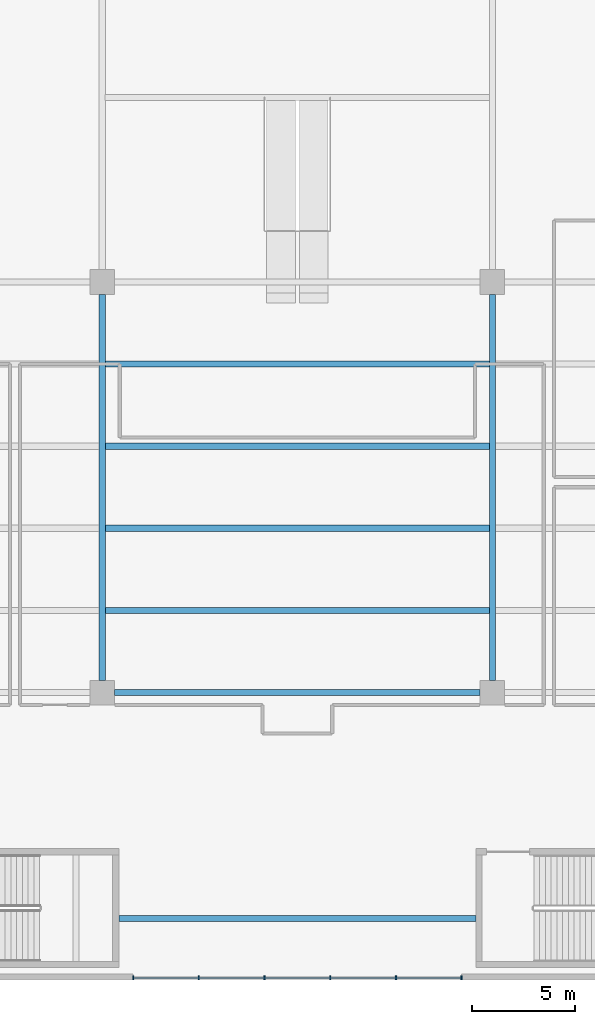
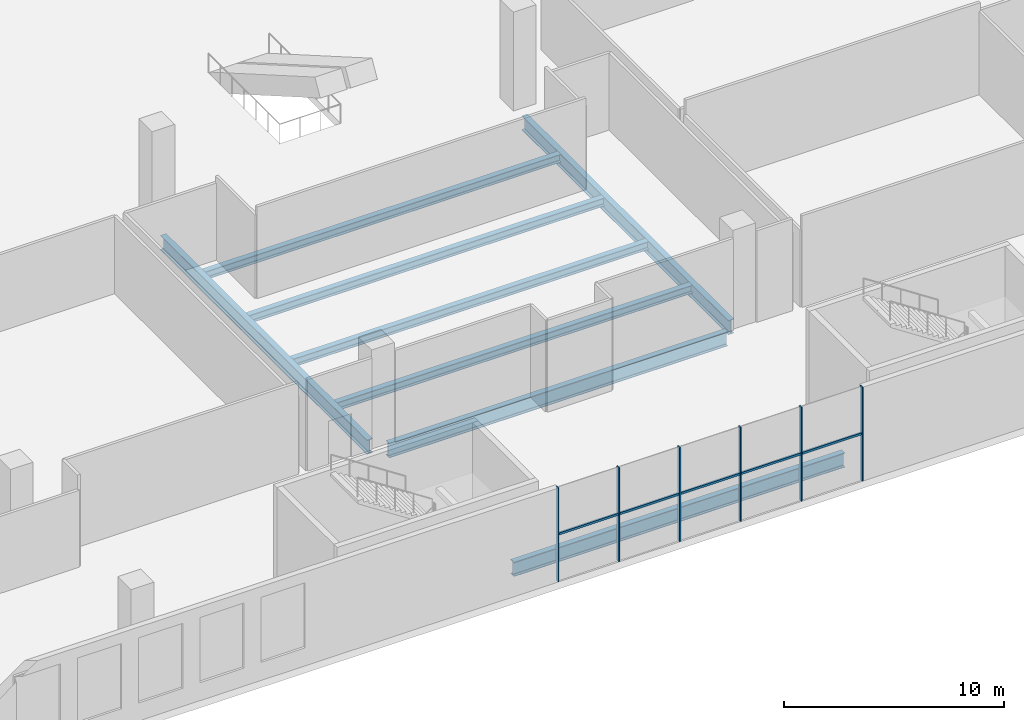
# One storey, part 2 of 26: 8 beams, 7 members, 1 element without a shape of its own.
"""IFC4 building model written with IfcOpenShell, lengths in metres."""

from ifc_helpers import new_model, si_unit, direction, frame, origin, origin_2d, place, context, subcontext, project, spatial, rectangle, i_section, extrude, material, material_profile, profile_set, type_object, element, aggregate, save


model = new_model("IFC4")

# Units and contexts
model_context = context("Model", 3, precision=1e-05, world=origin(), true_north=direction((0.0, 1.0)))
body_context = subcontext(model_context, "Body", "Model", "MODEL_VIEW")
ifc_project = project(units=[si_unit("LENGTHUNIT", "METRE"), si_unit("AREAUNIT", "SQUARE_METRE"), si_unit("VOLUMEUNIT", "CUBIC_METRE"), si_unit("PLANEANGLEUNIT", "RADIAN"), si_unit("MASSUNIT", "GRAM", prefix="KILO")], contexts=[model_context])

# Site, building, storey
site_placement = place(None, origin())
site = spatial("IfcSite", under=ifc_project, at=site_placement, CompositionType="ELEMENT")
building_placement = place(site_placement, origin())
building = spatial("IfcBuilding", under=site, at=building_placement, Name="Tel Ilan Convention Tower", CompositionType="ELEMENT")
storey_placement = place(building_placement, frame((0.0, 0.0, 37.5)))
storey = spatial("IfcBuildingStorey", under=building, at=storey_placement, Name="L05", CompositionType="ELEMENT", Elevation=37.5)

# Curtain wall, members
ifc_material_1 = material(Name="Aluminium, bronze anodised", Category="aluminium")
curtain_wall_type = type_object("IfcCurtainWallType", Name="CW3 FOYER CURTAIN WALL, CLEAR GLASS", PredefinedType="NOTDEFINED", material=ifc_material_1)
curtain_wall_placement = place(storey_placement, origin())
curtain_wall = element("IfcCurtainWall", 1, at=curtain_wall_placement, inside=storey, type_object=curtain_wall_type, Name="Curtain wall CW3-08.F01", PredefinedType="NOTDEFINED")
ifc_material_2 = material(Name="Aluminium, bronze anodised", Category="aluminium")
ifc_material_profile_1 = material_profile(ifc_material_2, rectangle(XDim=0.06005859375, YDim=0.199951171875, at=origin_2d()), Name="CW MULLION 60x200")
ifc_profile_set_1 = profile_set([ifc_material_profile_1], Name="Aluminium, bronze anodised")
member_type_1 = type_object("IfcMemberType", Name="CW MULLION 60x200", PredefinedType="MULLION", material=ifc_profile_set_1)
member_1_placement = place(storey_placement, frame((-8.0, -81.89990234375, 0.0), z_axis=(0.0, 0.0, 1.0), x_axis=(1.0, 0.0, 0.0)))
member_1 = element("IfcMember", 2, at=member_1_placement, type_object=member_type_1, Name="Mullion", PredefinedType="MULLION", context=body_context, shape_type="SweptSolid", body=[
    extrude(rectangle(XDim=0.06005859375, YDim=0.199951171875, at=origin_2d()), origin(), (0.0, 0.0, 1.0), 5.219970703125),
])
member_2_placement = place(storey_placement, frame((-4.800048828125, -81.89990234375, 0.0), z_axis=(0.0, 0.0, 1.0), x_axis=(1.0, 0.0, 0.0)))
member_2 = element("IfcMember", 3, at=member_2_placement, type_object=member_type_1, Name="Mullion", PredefinedType="MULLION", context=body_context, shape_type="SweptSolid", body=[
    extrude(rectangle(XDim=0.06005859375, YDim=0.199951171875, at=origin_2d()), origin(), (0.0, 0.0, 1.0), 5.219970703125),
])
member_3_placement = place(storey_placement, frame((-1.60009765625, -81.89990234375, 0.0), z_axis=(0.0, 0.0, 1.0), x_axis=(1.0, 0.0, 0.0)))
member_3 = element("IfcMember", 4, at=member_3_placement, type_object=member_type_1, Name="Mullion", PredefinedType="MULLION", context=body_context, shape_type="SweptSolid", body=[
    extrude(rectangle(XDim=0.06005859375, YDim=0.199951171875, at=origin_2d()), origin(), (0.0, 0.0, 1.0), 5.219970703125),
])
member_4_placement = place(storey_placement, frame((1.60009765625, -81.89990234375, 0.0), z_axis=(0.0, 0.0, 1.0), x_axis=(1.0, 0.0, 0.0)))
member_4 = element("IfcMember", 5, at=member_4_placement, type_object=member_type_1, Name="Mullion", PredefinedType="MULLION", context=body_context, shape_type="SweptSolid", body=[
    extrude(rectangle(XDim=0.06005859375, YDim=0.199951171875, at=origin_2d()), origin(), (0.0, 0.0, 1.0), 5.219970703125),
])
member_5_placement = place(storey_placement, frame((4.800048828125, -81.89990234375, 0.0), z_axis=(0.0, 0.0, 1.0), x_axis=(1.0, 0.0, 0.0)))
member_5 = element("IfcMember", 6, at=member_5_placement, type_object=member_type_1, Name="Mullion", PredefinedType="MULLION", context=body_context, shape_type="SweptSolid", body=[
    extrude(rectangle(XDim=0.06005859375, YDim=0.199951171875, at=origin_2d()), origin(), (0.0, 0.0, 1.0), 5.219970703125),
])
member_6_placement = place(storey_placement, frame((8.0, -81.89990234375, 0.0), z_axis=(0.0, 0.0, 1.0), x_axis=(1.0, 0.0, 0.0)))
member_6 = element("IfcMember", 7, at=member_6_placement, type_object=member_type_1, Name="Mullion", PredefinedType="MULLION", context=body_context, shape_type="SweptSolid", body=[
    extrude(rectangle(XDim=0.06005859375, YDim=0.199951171875, at=origin_2d()), origin(), (0.0, 0.0, 1.0), 5.219970703125),
])
ifc_material_3 = material(Name="Aluminium, bronze anodised", Category="aluminium")
ifc_material_profile_2 = material_profile(ifc_material_3, rectangle(XDim=0.10009765625, YDim=0.1201171875, at=origin_2d()), Name="CW TRANSOM 100x120")
ifc_profile_set_2 = profile_set([ifc_material_profile_2], Name="Aluminium, bronze anodised")
member_type_2 = type_object("IfcMemberType", Name="CW TRANSOM 100x120", PredefinedType="USERDEFINED", material=ifc_profile_set_2)
member_7_placement = place(storey_placement, frame((-7.969970703125, -81.89990234375, 2.610107421875), z_axis=(1.0, 0.0, 0.0), x_axis=(0.0, 1.0, 0.0)))
member_7 = element("IfcMember", 8, at=member_7_placement, type_object=member_type_2, Name="Transom", ObjectType="TRANSOM", PredefinedType="USERDEFINED", context=body_context, shape_type="SweptSolid", body=[
    extrude(rectangle(XDim=0.10009765625, YDim=0.1201171875, at=origin_2d()), origin(), (0.0, 0.0, 1.0), 15.93994140625),
])
aggregate(curtain_wall, [member_1, member_2, member_3, member_4, member_5, member_6, member_7])

# Beams
ifc_material_4 = material(Name="Steel S355", Category="steel")
ifc_material_profile_3 = material_profile(ifc_material_4, i_section(OverallWidth=0.300048828125, OverallDepth=0.800048828125, WebThickness=0.017578125, FlangeThickness=0.032958984375, FilletRadius=0.030029296875, at=origin_2d()), Name="HEB 800")
ifc_profile_set_3 = profile_set([ifc_material_profile_3], Name="Steel S355")
beam_type_1 = type_object("IfcBeamType", Name="Girder HEB 800 Steel S355", PredefinedType="BEAM", material=ifc_profile_set_3)
beam_1_placement = place(storey_placement, frame((-8.89990234375, -68.0, -0.800048828125), z_axis=(1.0, 0.0, 0.0), x_axis=(0.0, 1.0, 0.0)))
element("IfcBeam", 9, at=beam_1_placement, inside=storey, type_object=beam_type_1, Name="L05 beam GX23-4", PredefinedType="BEAM", context=body_context, shape_type="SweptSolid", body=[
    extrude(i_section(OverallWidth=0.300048828125, OverallDepth=0.800048828125, WebThickness=0.017578125, FlangeThickness=0.032958984375, FilletRadius=0.030029296875, at=origin_2d()), origin(), (0.0, 0.0, 1.0), 17.7998046875),
])
for number, where, z_axis, x_axis, name in (
    (10, (-9.5, -67.39990234375, -0.800048828125), (0.0, 1.0, 0.0), (-1.0, 0.0, 0.0), "L05 beam GY32-3"),
    (11, (9.5, -67.39990234375, -0.800048828125), (0.0, 1.0, 0.0), (-1.0, 0.0, 0.0), "L05 beam GY42-3"),
):
    element("IfcBeam", number, at=place(storey_placement, frame(where, z_axis=z_axis, x_axis=x_axis)), inside=storey, type_object=beam_type_1, Name=name, PredefinedType="BEAM", context=body_context, shape_type="SweptSolid", body=[
        extrude(i_section(OverallWidth=0.300048828125, OverallDepth=0.800048828125, WebThickness=0.017578125, FlangeThickness=0.032958984375, FilletRadius=0.030029296875, at=origin_2d()), origin(), (0.0, 0.0, 1.0), 18.7998046875),
    ])
beam_2_placement = place(storey_placement, frame((-8.699951171875, -79.0, -0.800048828125), z_axis=(1.0, 0.0, 0.0), x_axis=(0.0, 1.0, 0.0)))
element("IfcBeam", 12, at=beam_2_placement, inside=storey, type_object=beam_type_1, Name="L05 beam GS21", PredefinedType="BEAM", context=body_context, shape_type="SweptSolid", body=[
    extrude(i_section(OverallWidth=0.300048828125, OverallDepth=0.800048828125, WebThickness=0.017578125, FlangeThickness=0.032958984375, FilletRadius=0.030029296875, at=origin_2d()), origin(), (0.0, 0.0, 1.0), 17.39990234375),
])
ifc_material_5 = material(Name="Steel S355", Category="steel")
ifc_material_profile_4 = material_profile(ifc_material_5, i_section(OverallWidth=0.300048828125, OverallDepth=0.449951171875, WebThickness=0.013916015625, FlangeThickness=0.02587890625, FilletRadius=0.027099609375, at=origin_2d()), Name="HEB 450")
ifc_profile_set_4 = profile_set([ifc_material_profile_4], Name="Steel S355")
beam_type_2 = type_object("IfcBeamType", Name="Joist HEB 450 Steel S355", PredefinedType="JOIST", material=ifc_profile_set_4)
for number, where, z_axis, x_axis, name in (
    (13, (-9.360107421875, -64.0, -0.625), (1.0, 0.0, 0.0), (0.0, 1.0, 0.0), "L05 beam J3--68-1"),
    (14, (-9.360107421875, -60.0, -0.625), (1.0, 0.0, 0.0), (0.0, 1.0, 0.0), "L05 beam J3--68-2"),
    (15, (-9.360107421875, -56.0, -0.625), (1.0, 0.0, 0.0), (0.0, 1.0, 0.0), "L05 beam J3--68-3"),
    (16, (-9.360107421875, -52.0, -0.625), (1.0, 0.0, 0.0), (0.0, 1.0, 0.0), "L05 beam J3--68-4"),
):
    element("IfcBeam", number, at=place(storey_placement, frame(where, z_axis=z_axis, x_axis=x_axis)), inside=storey, type_object=beam_type_2, Name=name, PredefinedType="JOIST", context=body_context, shape_type="SweptSolid", body=[
        extrude(i_section(OverallWidth=0.300048828125, OverallDepth=0.449951171875, WebThickness=0.013916015625, FlangeThickness=0.02587890625, FilletRadius=0.027099609375, at=origin_2d()), origin(), (0.0, 0.0, 1.0), 18.72021484375),
    ])

save(model, "model.ifc")
